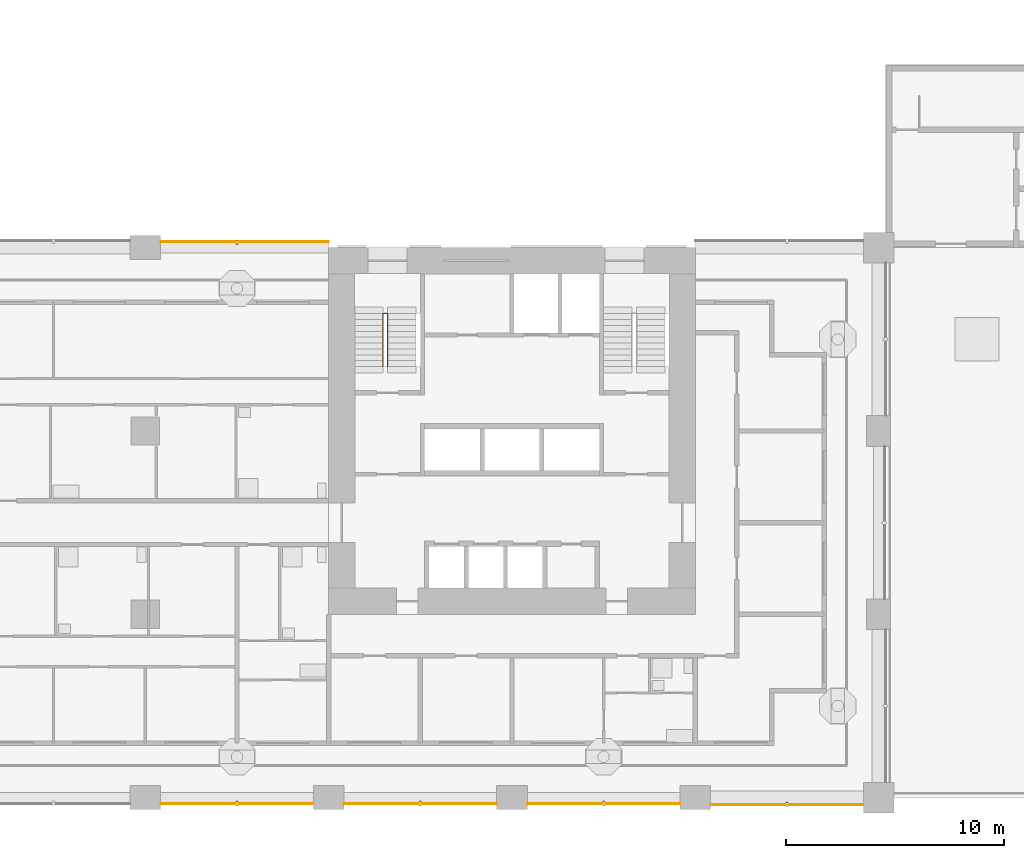
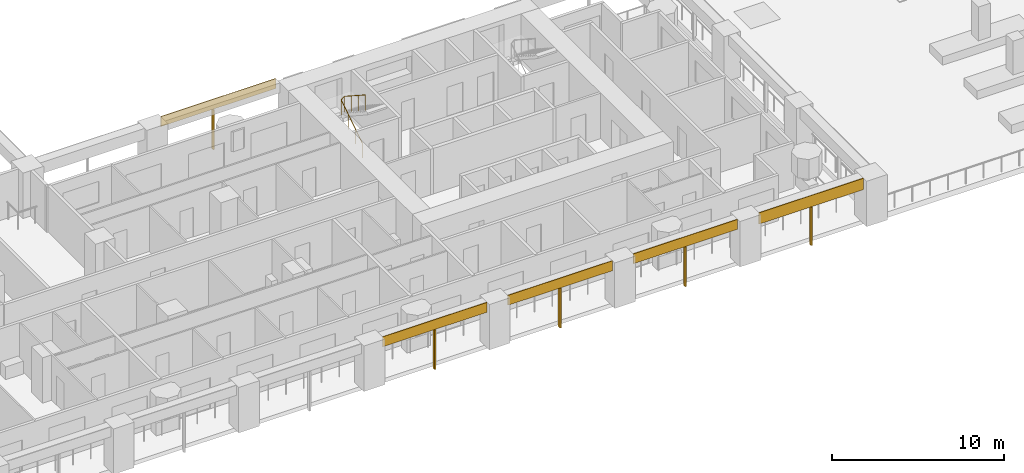
# One storey, part 14 of 23: 10 shading devices, 1 railing.
"""IFC4 building model written with IfcOpenShell, lengths in metres."""

from ifc_helpers import new_model, si_unit, direction, frame, origin, origin_2d, place, context, subcontext, project, spatial, rectangle, circle, extrude, material, layer, layer_set, material_profile, profile_set, type_object, element, save


model = new_model("IFC4")

# Units and contexts
model_context = context("Model", 3, precision=1e-05, world=origin(), true_north=direction((0.0, 1.0)))
body_context = subcontext(model_context, "Body", "Model", "MODEL_VIEW")
ifc_project = project(units=[si_unit("LENGTHUNIT", "METRE"), si_unit("AREAUNIT", "SQUARE_METRE"), si_unit("VOLUMEUNIT", "CUBIC_METRE"), si_unit("PLANEANGLEUNIT", "RADIAN"), si_unit("MASSUNIT", "GRAM", prefix="KILO")], contexts=[model_context])

# Site, building, storey
site_placement = place(None, origin())
site = spatial("IfcSite", under=ifc_project, at=site_placement, CompositionType="ELEMENT")
building_placement = place(site_placement, origin())
building = spatial("IfcBuilding", under=site, at=building_placement, Name="Vermilion Gate Residences", CompositionType="ELEMENT")
storey_placement = place(building_placement, frame((0.0, 0.0, 25.199951171875)))
storey = spatial("IfcBuildingStorey", under=building, at=storey_placement, Name="L04", CompositionType="ELEMENT", Elevation=25.199951171875)

# Shading devices
ifc_material_1 = material(Name="Perforated terracotta", Category="masonry")
ifc_layer = layer(ifc_material_1, 0.0400390625)
ifc_layer_set = layer_set([ifc_layer], Name="PERFORATED TERRACOTTA SCREEN 40")
shading_device_type_1 = type_object("IfcShadingDeviceType", Name="PERFORATED TERRACOTTA SCREEN 40", PredefinedType="SHUTTER", material=ifc_layer_set)
for number, where, z_axis, x_axis, name in (
    (1, (37.800048828125, -0.27001953125, 2.52001953125), (0.0, 0.0, 1.0), (1.0, 0.0, 0.0), "SCREEN"),
    (2, (46.199951171875, -0.27001953125, 2.52001953125), (0.0, 0.0, 1.0), (1.0, 0.0, 0.0), "SCREEN"),
    (3, (54.60009765625, -0.27001953125, 2.52001953125), (0.0, 0.0, 1.0), (1.0, 0.0, 0.0), "SCREEN"),
):
    element("IfcShadingDevice", number, at=place(storey_placement, frame(where, z_axis=z_axis, x_axis=x_axis)), inside=storey, type_object=shading_device_type_1, Name=name, PredefinedType="SHUTTER", context=body_context, shape_type="SweptSolid", body=[
        extrude(rectangle(XDim=7.0, YDim=0.0400390625, at=origin_2d()), origin(), (0.0, 0.0, 1.0), 0.699951171875),
    ])
shading_device_1_placement = place(storey_placement, frame((63.0, -0.320068359375, 2.419921875), z_axis=(0.0, 0.0, 1.0), x_axis=(1.0, 0.0, 0.0)))
element("IfcShadingDevice", 4, at=shading_device_1_placement, inside=storey, type_object=shading_device_type_1, Name="SCREEN", PredefinedType="SHUTTER", context=body_context, shape_type="SweptSolid", body=[
    extrude(rectangle(XDim=7.0, YDim=0.0400390625, at=origin_2d()), origin(), (0.0, 0.0, 1.0), 0.800048828125),
])
shading_device_2_placement = place(storey_placement, frame((38.14990234375, 25.469970703125, 2.52001953125), z_axis=(0.0, 0.0, 1.0), x_axis=(-1.0, 0.0, 0.0)))
element("IfcShadingDevice", 5, at=shading_device_2_placement, inside=storey, type_object=shading_device_type_1, Name="SCREEN", PredefinedType="SHUTTER", context=body_context, shape_type="SweptSolid", body=[
    extrude(rectangle(XDim=7.699951171875, YDim=0.0400390625, at=origin_2d()), origin(), (0.0, 0.0, 1.0), 0.699951171875),
])

# Railing
ifc_material_2 = material(Name="Steel S355", Category="steel")
railing_type = type_object("IfcRailingType", Name="STAIR GUARD 1100 STEEL", PredefinedType="GUARDRAIL", material=ifc_material_2)
railing_placement = place(storey_placement, frame((44.5, 19.75, 0.175048828125)))
element("IfcRailing", 6, at=railing_placement, inside=storey, type_object=railing_type, Name="Stair well guard STA1-04", PredefinedType="GUARDRAIL", context=body_context, shape_type="SweptSolid", body=[
    extrude(circle(Radius=0.02392578125, at=origin_2d()), frame((0.0, 0.0, 1.076171875), z_axis=(0.0, 0.839153699163, 0.543894354798), x_axis=(-1.0, 0.0, 0.0)), (0.0, 0.0, 1.0), 2.895751953125),
    extrude(circle(Radius=0.02392578125, at=origin_2d()), frame((0.0, 2.429931640625, 2.65087890625), z_axis=(0.752405939678, 0.0, 0.658699705433), x_axis=(0.0, 1.0, 0.0)), (0.0, 0.0, 1.0), 0.265869140625),
    extrude(circle(Radius=0.02392578125, at=origin_2d()), frame((0.199951171875, 2.429931640625, 2.826171875), z_axis=(0.0, -0.839153699163, 0.543894354798), x_axis=(1.0, 0.0, 0.0)), (0.0, 0.0, 1.0), 2.895751953125),
    extrude(circle(Radius=0.02099609375, at=origin_2d()), origin(), (0.0, 0.0, 1.0), 1.052001953125),
    extrude(circle(Radius=0.02099609375, at=origin_2d()), frame((0.0, 0.81005859375, 0.52490234375)), (0.0, 0.0, 1.0), 1.052001953125),
    extrude(circle(Radius=0.02099609375, at=origin_2d()), frame((0.0, 1.619873046875, 1.050048828125)), (0.0, 0.0, 1.0), 1.052001953125),
    extrude(circle(Radius=0.02099609375, at=origin_2d()), frame((0.0, 2.429931640625, 1.574951171875)), (0.0, 0.0, 1.0), 1.052001953125),
    extrude(circle(Radius=0.02099609375, at=origin_2d()), frame((0.199951171875, 2.429931640625, 1.75)), (0.0, 0.0, 1.0), 1.052001953125),
    extrude(circle(Radius=0.02099609375, at=origin_2d()), frame((0.199951171875, 1.619873046875, 2.27490234375)), (0.0, 0.0, 1.0), 1.052001953125),
    extrude(circle(Radius=0.02099609375, at=origin_2d()), frame((0.199951171875, 0.81005859375, 2.800048828125)), (0.0, 0.0, 1.0), 1.052001953125),
    extrude(circle(Radius=0.02099609375, at=origin_2d()), frame((0.199951171875, 0.0, 3.324951171875)), (0.0, 0.0, 1.0), 1.052001953125),
])

# Shading devices
ifc_material_3 = material(Name="Extruded terracotta", Category="masonry")
ifc_material_profile = material_profile(ifc_material_3, rectangle(XDim=0.199951171875, YDim=0.10009765625, at=origin_2d()), Name="BAGUETTE 100 X 200")
ifc_profile_set = profile_set([ifc_material_profile], Name="Extruded terracotta")
shading_device_type_2 = type_object("IfcShadingDeviceType", Name="TERRACOTTA BAGUETTE 100 X 200", PredefinedType="JALOUSIE", material=ifc_profile_set)
for number, where, z_axis, x_axis, name in (
    (7, (37.800048828125, -0.25, -0.280029296875), (0.0, 0.0, 1.0), (0.0, 1.0, 0.0), "BAGUETTE"),
    (8, (46.199951171875, -0.25, -0.280029296875), (0.0, 0.0, 1.0), (0.0, 1.0, 0.0), "BAGUETTE"),
    (9, (54.60009765625, -0.25, -0.280029296875), (0.0, 0.0, 1.0), (0.0, 1.0, 0.0), "BAGUETTE"),
):
    element("IfcShadingDevice", number, at=place(storey_placement, frame(where, z_axis=z_axis, x_axis=x_axis)), inside=storey, type_object=shading_device_type_2, Name=name, PredefinedType="JALOUSIE", context=body_context, shape_type="SweptSolid", body=[
        extrude(rectangle(XDim=0.199951171875, YDim=0.10009765625, at=origin_2d()), origin(), (0.0, 0.0, 1.0), 2.800048828125),
    ])
shading_device_3_placement = place(storey_placement, frame((63.0, -0.300048828125, -0.280029296875), z_axis=(0.0, 0.0, 1.0), x_axis=(0.0, 1.0, 0.0)))
element("IfcShadingDevice", 10, at=shading_device_3_placement, inside=storey, type_object=shading_device_type_2, Name="BAGUETTE", PredefinedType="JALOUSIE", context=body_context, shape_type="SweptSolid", body=[
    extrude(rectangle(XDim=0.199951171875, YDim=0.10009765625, at=origin_2d()), origin(), (0.0, 0.0, 1.0), 2.7001953125),
])
shading_device_4_placement = place(storey_placement, frame((37.800048828125, 25.449951171875, -0.280029296875), z_axis=(0.0, 0.0, 1.0), x_axis=(0.0, -1.0, 0.0)))
element("IfcShadingDevice", 11, at=shading_device_4_placement, inside=storey, type_object=shading_device_type_2, Name="BAGUETTE", PredefinedType="JALOUSIE", context=body_context, shape_type="SweptSolid", body=[
    extrude(rectangle(XDim=0.199951171875, YDim=0.10009765625, at=origin_2d()), origin(), (0.0, 0.0, 1.0), 2.800048828125),
])

save(model, "model.ifc")
